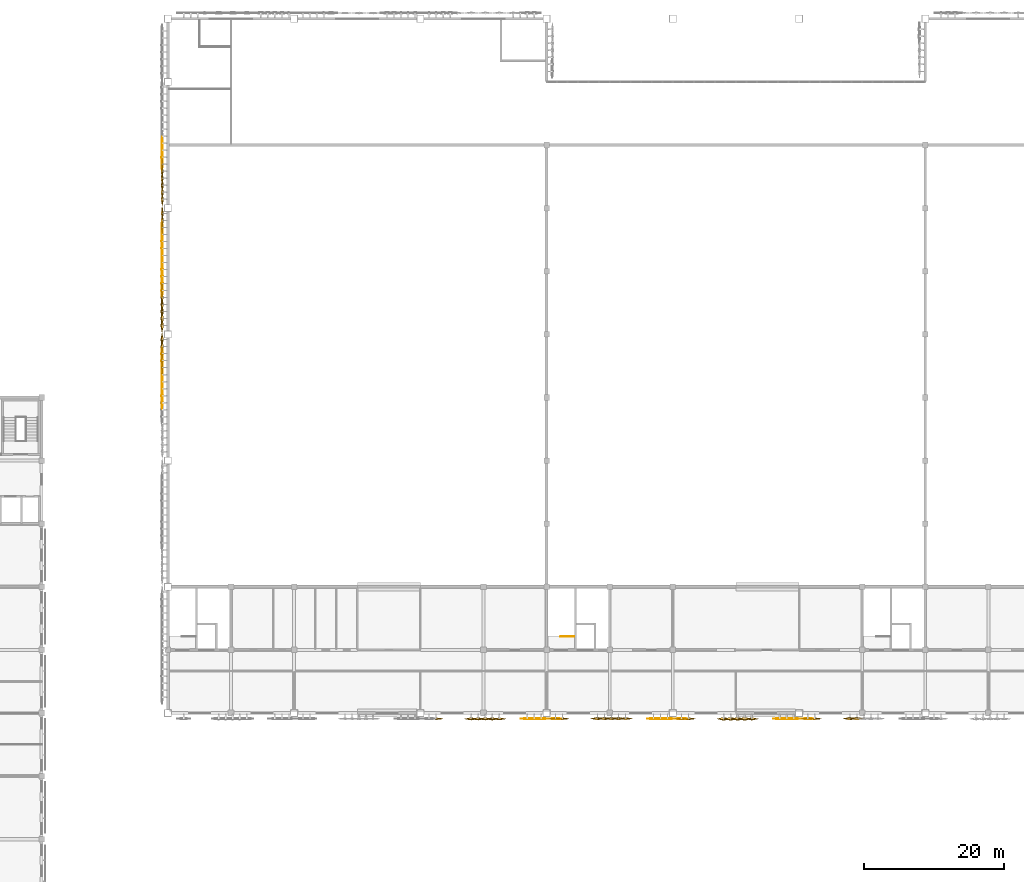
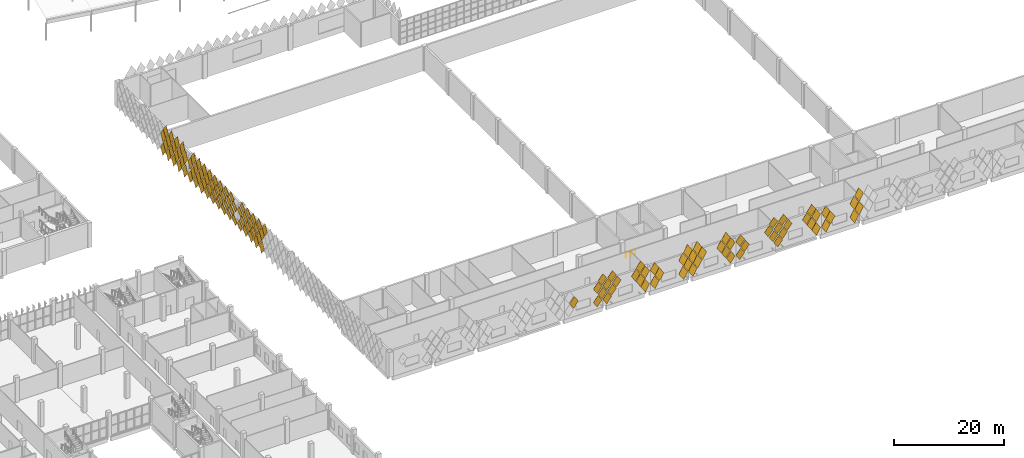
# One storey, part 172 of 185: 126 coverings, 1 railing.
"""IFC4 building model written with IfcOpenShell, lengths in metres."""

from ifc_helpers import new_model, si_unit, direction, frame, origin, origin_2d, place, context, subcontext, project, spatial, polyline, circle, outline, extrude, material, constituent, constituent_set, material_profile, profile_set, type_object, element, save


model = new_model("IFC4")

# Units and contexts
model_context = context("Model", 3, precision=1e-05, world=origin(), true_north=direction((0.0, 1.0)))
body_context = subcontext(model_context, "Body", "Model", "MODEL_VIEW")
ifc_project = project(units=[si_unit("LENGTHUNIT", "METRE"), si_unit("AREAUNIT", "SQUARE_METRE"), si_unit("VOLUMEUNIT", "CUBIC_METRE"), si_unit("PLANEANGLEUNIT", "RADIAN"), si_unit("MASSUNIT", "GRAM", prefix="KILO")], contexts=[model_context])

# Site, building, storey
site_placement = place(None, origin())
site = spatial("IfcSite", under=ifc_project, at=site_placement, CompositionType="ELEMENT")
building_placement = place(site_placement, origin())
building = spatial("IfcBuilding", under=site, at=building_placement, Name="Opaline Strait Convention Centre", CompositionType="ELEMENT")
storey_placement = place(building_placement, frame((0.0, 0.0, 6.0)))
storey = spatial("IfcBuildingStorey", under=building, at=storey_placement, Name="L01", CompositionType="ELEMENT", Elevation=6.0)

# Coverings
ifc_material_1 = material(Name="White ceramic-faced aluminium tile", Category="aluminium")
ifc_material_profile_1 = material_profile(ifc_material_1, outline(polyline([(0.927978515625, 0.0), (0.0, 1.39208984375), (-0.927978515625, 0.0), (0.0, -1.39208984375), (0.927978515625, 0.0)])), Name="Diamond tile 1856x2784")
ifc_profile_set_1 = profile_set([ifc_material_profile_1], Name="White ceramic-faced aluminium tile")
covering_type_1 = type_object("IfcCoveringType", Name="Diamond wall tile 1856x2784x30 pivot 2 deg", PredefinedType="CLADDING", material=ifc_profile_set_1)
for number, where, z_axis, x_axis, name in (
    (1, (98.199951171875, 135.25, 4.39208984375), (-0.999471633277, 0.0, 0.032503142546), (0.0, -1.0, 0.0), "Wall tile XT04 W"),
    (2, (98.199951171875, 134.25, 5.89208984375), (-0.999471633277, 0.0, 0.032503142546), (0.0, -1.0, 0.0), "Wall tile XT04 W"),
):
    element("IfcCovering", number, at=place(storey_placement, frame(where, z_axis=z_axis, x_axis=x_axis)), inside=storey, type_object=covering_type_1, Name=name, PredefinedType="CLADDING", context=body_context, shape_type="SweptSolid", body=[
        extrude(outline(polyline([(0.927978515625, 0.0), (0.0, 1.39208984375), (-0.927978515625, 0.0), (0.0, -1.39208984375), (0.927978515625, 0.0)])), origin(), (0.0, 0.0, 1.0), 0.030029296875),
    ])
ifc_material_profile_2 = material_profile(ifc_material_1, outline(polyline([(0.927978515625, 0.0), (0.0, 1.39208984375), (-0.927978515625, 0.0), (0.0, -1.39208984375), (0.927978515625, 0.0)])), Name="Diamond tile 1856x2784")
ifc_profile_set_2 = profile_set([ifc_material_profile_2], Name="White ceramic-faced aluminium tile")
covering_type_2 = type_object("IfcCoveringType", Name="Diamond wall tile 1856x2784x30 pivot 2.5 deg", PredefinedType="CLADDING", material=ifc_profile_set_2)
for number, where, z_axis, x_axis, name in (
    (3, (151.25, 53.199951171875, 3.39208984375), (0.0, -0.999174794796, 0.040616861577), (1.0, 0.0, 0.0), "Wall tile XT05 S"),
    (4, (150.25, 53.199951171875, 4.89208984375), (0.0, -0.998812351125, -0.048722553713), (1.0, 0.0, 0.0), "Wall tile XT05 S"),
    (5, (152.25, 53.199951171875, 4.89208984375), (0.0, -0.999174794796, 0.040616861577), (1.0, 0.0, 0.0), "Wall tile XT05 S"),
    (6, (151.25, 53.199951171875, 6.39208984375), (0.0, -0.998812351125, -0.048722553713), (1.0, 0.0, 0.0), "Wall tile XT05 S"),
    (7, (98.199951171875, 121.25, 1.39208984375), (-0.999174794796, 0.0, 0.040616861577), (0.0, -1.0, 0.0), "Wall tile XT05 W"),
    (8, (98.199951171875, 120.25, 2.89208984375), (-0.999174794796, 0.0, 0.040616861577), (0.0, -1.0, 0.0), "Wall tile XT05 W"),
):
    element("IfcCovering", number, at=place(storey_placement, frame(where, z_axis=z_axis, x_axis=x_axis)), inside=storey, type_object=covering_type_2, Name=name, PredefinedType="CLADDING", context=body_context, shape_type="SweptSolid", body=[
        extrude(outline(polyline([(0.927978515625, 0.0), (0.0, 1.39208984375), (-0.927978515625, 0.0), (0.0, -1.39208984375), (0.927978515625, 0.0)])), origin(), (0.0, 0.0, 1.0), 0.030029296875),
    ])
ifc_material_profile_3 = material_profile(ifc_material_1, outline(polyline([(0.927978515625, 0.0), (0.0, 1.39208984375), (-0.927978515625, 0.0), (0.0, -1.39208984375), (0.927978515625, 0.0)])), Name="Diamond tile 1856x2784")
ifc_profile_set_3 = profile_set([ifc_material_profile_3], Name="White ceramic-faced aluminium tile")
covering_type_3 = type_object("IfcCoveringType", Name="Diamond wall tile 1856x2784x30 pivot 3 deg", PredefinedType="CLADDING", material=ifc_profile_set_3)
for number, where, z_axis, x_axis, name in (
    (9, (152.25, 53.199951171875, 1.89208984375), (0.0, -0.998812351125, 0.048722553713), (1.0, 0.0, 0.0), "Wall tile XT06 S"),
    (10, (169.25, 53.199951171875, 3.39208984375), (0.0, -0.998384516691, -0.056818631031), (1.0, 0.0, 0.0), "Wall tile XT06 S"),
    (11, (187.25, 53.199951171875, 3.39208984375), (0.0, -0.998812351125, 0.048722553713), (1.0, 0.0, 0.0), "Wall tile XT06 S"),
    (12, (154.25, 53.199951171875, 4.89208984375), (0.0, -0.998812351125, 0.048722553713), (1.0, 0.0, 0.0), "Wall tile XT06 S"),
    (13, (168.25, 53.199951171875, 4.89208984375), (0.0, -0.998812351125, 0.048722553713), (1.0, 0.0, 0.0), "Wall tile XT06 S"),
    (14, (170.25, 53.199951171875, 4.89208984375), (0.0, -0.998384516691, -0.056818631031), (1.0, 0.0, 0.0), "Wall tile XT06 S"),
    (15, (172.25, 53.199951171875, 4.89208984375), (0.0, -0.998384516691, -0.056818631031), (1.0, 0.0, 0.0), "Wall tile XT06 S"),
    (16, (186.25, 53.199951171875, 4.89208984375), (0.0, -0.998384516691, -0.056818631031), (1.0, 0.0, 0.0), "Wall tile XT06 S"),
    (17, (188.25, 53.199951171875, 4.89208984375), (0.0, -0.998812351125, 0.048722553713), (1.0, 0.0, 0.0), "Wall tile XT06 S"),
    (18, (190.25, 53.199951171875, 4.89208984375), (0.0, -0.998812351125, 0.048722553713), (1.0, 0.0, 0.0), "Wall tile XT06 S"),
    (19, (169.25, 53.199951171875, 6.39208984375), (0.0, -0.998812351125, 0.048722553713), (1.0, 0.0, 0.0), "Wall tile XT06 S"),
    (20, (187.25, 53.199951171875, 6.39208984375), (0.0, -0.998384516691, -0.056818631031), (1.0, 0.0, 0.0), "Wall tile XT06 S"),
    (21, (98.199951171875, 135.25, 1.39208984375), (-0.998812351125, 0.0, 0.048722553713), (0.0, -1.0, 0.0), "Wall tile XT06 W"),
    (22, (98.199951171875, 119.25, 1.39208984375), (-0.998384516691, 0.0, -0.056818631031), (0.0, -1.0, 0.0), "Wall tile XT06 W"),
    (23, (98.199951171875, 103.25, 1.39208984375), (-0.998384516691, 0.0, -0.056818631031), (0.0, -1.0, 0.0), "Wall tile XT06 W"),
    (24, (98.199951171875, 101.25, 1.39208984375), (-0.998812351125, 0.0, 0.048722553713), (0.0, -1.0, 0.0), "Wall tile XT06 W"),
    (25, (98.199951171875, 134.25, 2.89208984375), (-0.998812351125, 0.0, 0.048722553713), (0.0, -1.0, 0.0), "Wall tile XT06 W"),
    (26, (98.199951171875, 118.25, 2.89208984375), (-0.998384516691, 0.0, -0.056818631031), (0.0, -1.0, 0.0), "Wall tile XT06 W"),
    (27, (98.199951171875, 102.25, 2.89208984375), (-0.998384516691, 0.0, -0.056818631031), (0.0, -1.0, 0.0), "Wall tile XT06 W"),
    (28, (98.199951171875, 100.25, 2.89208984375), (-0.998812351125, 0.0, 0.048722553713), (0.0, -1.0, 0.0), "Wall tile XT06 W"),
    (29, (98.199951171875, 133.25, 4.39208984375), (-0.998812351125, 0.0, 0.048722553713), (0.0, -1.0, 0.0), "Wall tile XT06 W"),
    (30, (98.199951171875, 119.25, 4.39208984375), (-0.998812351125, 0.0, 0.048722553713), (0.0, -1.0, 0.0), "Wall tile XT06 W"),
    (31, (98.199951171875, 117.25, 4.39208984375), (-0.998384516691, 0.0, -0.056818631031), (0.0, -1.0, 0.0), "Wall tile XT06 W"),
    (32, (98.199951171875, 101.25, 4.39208984375), (-0.998384516691, 0.0, -0.056818631031), (0.0, -1.0, 0.0), "Wall tile XT06 W"),
    (33, (98.199951171875, 99.25, 4.39208984375), (-0.998812351125, 0.0, 0.048722553713), (0.0, -1.0, 0.0), "Wall tile XT06 W"),
    (34, (98.199951171875, 132.25, 5.89208984375), (-0.998812351125, 0.0, 0.048722553713), (0.0, -1.0, 0.0), "Wall tile XT06 W"),
    (35, (98.199951171875, 118.25, 5.89208984375), (-0.998812351125, 0.0, 0.048722553713), (0.0, -1.0, 0.0), "Wall tile XT06 W"),
    (36, (98.199951171875, 116.25, 5.89208984375), (-0.998384516691, 0.0, -0.056818631031), (0.0, -1.0, 0.0), "Wall tile XT06 W"),
    (37, (98.199951171875, 100.25, 5.89208984375), (-0.998384516691, 0.0, -0.056818631031), (0.0, -1.0, 0.0), "Wall tile XT06 W"),
    (38, (98.199951171875, 98.25, 5.89208984375), (-0.998812351125, 0.0, 0.048722553713), (0.0, -1.0, 0.0), "Wall tile XT06 W"),
):
    element("IfcCovering", number, at=place(storey_placement, frame(where, z_axis=z_axis, x_axis=x_axis)), inside=storey, type_object=covering_type_3, Name=name, PredefinedType="CLADDING", context=body_context, shape_type="SweptSolid", body=[
        extrude(outline(polyline([(0.927978515625, 0.0), (0.0, 1.39208984375), (-0.927978515625, 0.0), (0.0, -1.39208984375), (0.927978515625, 0.0)])), origin(), (0.0, 0.0, 1.0), 0.030029296875),
    ])
ifc_material_profile_4 = material_profile(ifc_material_1, outline(polyline([(0.927978515625, 0.0), (0.0, 1.39208984375), (-0.927978515625, 0.0), (0.0, -1.39208984375), (0.927978515625, 0.0)])), Name="Diamond tile 1856x2784")
ifc_profile_set_4 = profile_set([ifc_material_profile_4], Name="White ceramic-faced aluminium tile")
covering_type_4 = type_object("IfcCoveringType", Name="Diamond wall tile 1856x2784x30 pivot 3.5 deg", PredefinedType="CLADDING", material=ifc_profile_set_4)
for number, where, z_axis, x_axis, name in (
    (39, (170.25, 53.199951171875, 1.89208984375), (0.0, -0.99785694905, -0.065433242561), (1.0, 0.0, 0.0), "Wall tile XT07 S"),
    (40, (188.25, 53.199951171875, 1.89208984375), (0.0, -0.99835799028, 0.057282835508), (1.0, 0.0, 0.0), "Wall tile XT07 S"),
    (41, (98.199951171875, 123.25, 1.39208984375), (-0.99835799028, 0.0, 0.057282835508), (0.0, -1.0, 0.0), "Wall tile XT07 W"),
    (42, (98.199951171875, 122.25, 2.89208984375), (-0.99835799028, 0.0, 0.057282835508), (0.0, -1.0, 0.0), "Wall tile XT07 W"),
):
    element("IfcCovering", number, at=place(storey_placement, frame(where, z_axis=z_axis, x_axis=x_axis)), inside=storey, type_object=covering_type_4, Name=name, PredefinedType="CLADDING", context=body_context, shape_type="SweptSolid", body=[
        extrude(outline(polyline([(0.927978515625, 0.0), (0.0, 1.39208984375), (-0.927978515625, 0.0), (0.0, -1.39208984375), (0.927978515625, 0.0)])), origin(), (0.0, 0.0, 1.0), 0.02978515625),
    ])
ifc_material_profile_5 = material_profile(ifc_material_1, outline(polyline([(0.927978515625, 0.0), (0.0, 1.39208984375), (-0.927978515625, 0.0), (0.0, -1.39208984375), (0.927978515625, 0.0)])), Name="Diamond tile 1856x2784")
ifc_profile_set_5 = profile_set([ifc_material_profile_5], Name="White ceramic-faced aluminium tile")
covering_type_5 = type_object("IfcCoveringType", Name="Diamond wall tile 1856x2784x30 pivot 4 deg", PredefinedType="CLADDING", material=ifc_profile_set_5)
for number, where, z_axis, x_axis, name in (
    (43, (98.199951171875, 117.25, 1.39208984375), (-0.997290013252, 0.0, -0.073570574748), (0.0, -1.0, 0.0), "Wall tile XT08 W"),
    (44, (98.199951171875, 105.25, 1.39208984375), (-0.997290013252, 0.0, -0.073570574748), (0.0, -1.0, 0.0), "Wall tile XT08 W"),
    (45, (98.199951171875, 116.25, 2.89208984375), (-0.997290013252, 0.0, -0.073570574748), (0.0, -1.0, 0.0), "Wall tile XT08 W"),
    (46, (98.199951171875, 104.25, 2.89208984375), (-0.997290013252, 0.0, -0.073570574748), (0.0, -1.0, 0.0), "Wall tile XT08 W"),
    (47, (98.199951171875, 121.25, 4.39208984375), (-0.99785694905, 0.0, 0.065433242561), (0.0, -1.0, 0.0), "Wall tile XT08 W"),
    (48, (98.199951171875, 115.25, 4.39208984375), (-0.997290013252, 0.0, -0.073570574748), (0.0, -1.0, 0.0), "Wall tile XT08 W"),
    (49, (98.199951171875, 120.25, 5.89208984375), (-0.99785694905, 0.0, 0.065433242561), (0.0, -1.0, 0.0), "Wall tile XT08 W"),
    (50, (98.199951171875, 114.25, 5.89208984375), (-0.997290013252, 0.0, -0.073570574748), (0.0, -1.0, 0.0), "Wall tile XT08 W"),
):
    element("IfcCovering", number, at=place(storey_placement, frame(where, z_axis=z_axis, x_axis=x_axis)), inside=storey, type_object=covering_type_5, Name=name, PredefinedType="CLADDING", context=body_context, shape_type="SweptSolid", body=[
        extrude(outline(polyline([(0.927978515625, 0.0), (0.0, 1.39208984375), (-0.927978515625, 0.0), (0.0, -1.39208984375), (0.927978515625, 0.0)])), origin(), (0.0, 0.0, 1.0), 0.02978515625),
    ])
ifc_material_profile_6 = material_profile(ifc_material_1, outline(polyline([(0.927978515625, 0.0), (0.0, 1.39208984375), (-0.927978515625, 0.0), (0.0, -1.39208984375), (0.927978515625, 0.0)])), Name="Diamond tile 1856x2784")
ifc_profile_set_6 = profile_set([ifc_material_profile_6], Name="White ceramic-faced aluminium tile")
covering_type_6 = type_object("IfcCoveringType", Name="Diamond wall tile 1856x2784x30 pivot 4.5 deg", PredefinedType="CLADDING", material=ifc_profile_set_6)
for number, where, z_axis, x_axis, name in (
    (51, (137.25, 53.199951171875, 3.39208984375), (0.0, -0.996657521232, -0.081693239445), (1.0, 0.0, 0.0), "Wall tile XT09 S"),
    (52, (98.199951171875, 133.25, 1.39208984375), (-0.997290013252, 0.0, 0.073570574748), (0.0, -1.0, 0.0), "Wall tile XT09 W"),
    (53, (98.199951171875, 99.25, 1.39208984375), (-0.997290013252, 0.0, 0.073570574748), (0.0, -1.0, 0.0), "Wall tile XT09 W"),
    (54, (98.199951171875, 103.25, 4.39208984375), (-0.996657521232, 0.0, -0.081693239445), (0.0, -1.0, 0.0), "Wall tile XT09 W"),
    (55, (98.199951171875, 102.25, 5.89208984375), (-0.996657521232, 0.0, -0.081693239445), (0.0, -1.0, 0.0), "Wall tile XT09 W"),
):
    element("IfcCovering", number, at=place(storey_placement, frame(where, z_axis=z_axis, x_axis=x_axis)), inside=storey, type_object=covering_type_6, Name=name, PredefinedType="CLADDING", context=body_context, shape_type="SweptSolid", body=[
        extrude(outline(polyline([(0.927978515625, 0.0), (0.0, 1.39208984375), (-0.927978515625, 0.0), (0.0, -1.39208984375), (0.927978515625, 0.0)])), origin(), (0.0, 0.0, 1.0), 0.02978515625),
    ])
ifc_material_profile_7 = material_profile(ifc_material_1, outline(polyline([(0.927978515625, 0.0), (0.0, 1.39208984375), (-0.927978515625, 0.0), (0.0, -1.39208984375), (0.927978515625, 0.0)])), Name="Diamond tile 1856x2784")
ifc_profile_set_7 = profile_set([ifc_material_profile_7], Name="White ceramic-faced aluminium tile")
covering_type_7 = type_object("IfcCoveringType", Name="Diamond wall tile 1856x2784x30 pivot 5 deg", PredefinedType="CLADDING", material=ifc_profile_set_7)
for number, where, z_axis, x_axis, name in (
    (56, (98.199951171875, 125.25, 1.39208984375), (-0.996657521232, 0.0, 0.081693239445), (0.0, -1.0, 0.0), "Wall tile XT10 W"),
    (57, (98.199951171875, 132.25, 2.89208984375), (-0.996657521232, 0.0, 0.081693239445), (0.0, -1.0, 0.0), "Wall tile XT10 W"),
    (58, (98.199951171875, 131.25, 4.39208984375), (-0.996657521232, 0.0, 0.081693239445), (0.0, -1.0, 0.0), "Wall tile XT10 W"),
    (59, (98.199951171875, 130.25, 5.89208984375), (-0.996657521232, 0.0, 0.081693239445), (0.0, -1.0, 0.0), "Wall tile XT10 W"),
):
    element("IfcCovering", number, at=place(storey_placement, frame(where, z_axis=z_axis, x_axis=x_axis)), inside=storey, type_object=covering_type_7, Name=name, PredefinedType="CLADDING", context=body_context, shape_type="SweptSolid", body=[
        extrude(outline(polyline([(0.927978515625, 0.0), (0.0, 1.39208984375), (-0.927978515625, 0.0), (0.0, -1.39208984375), (0.927978515625, 0.0)])), origin(), (0.0, 0.0, 1.0), 0.02978515625),
    ])
ifc_material_profile_8 = material_profile(ifc_material_1, outline(polyline([(0.927978515625, 0.0), (0.0, 1.39208984375), (-0.927978515625, 0.0), (0.0, -1.39208984375), (0.927978515625, 0.0)])), Name="Diamond tile 1856x2784")
ifc_profile_set_8 = profile_set([ifc_material_profile_8], Name="White ceramic-faced aluminium tile")
covering_type_8 = type_object("IfcCoveringType", Name="Diamond wall tile 1856x2784x30 pivot 5.5 deg", PredefinedType="CLADDING", material=ifc_profile_set_8)
for number, where, z_axis, x_axis, name in (
    (60, (154.25, 53.199951171875, 1.89208984375), (0.0, -0.995959849254, 0.089799658539), (1.0, 0.0, 0.0), "Wall tile XT11 S"),
    (61, (155.25, 53.199951171875, 3.39208984375), (0.0, -0.995959849254, 0.089799658539), (1.0, 0.0, 0.0), "Wall tile XT11 S"),
):
    element("IfcCovering", number, at=place(storey_placement, frame(where, z_axis=z_axis, x_axis=x_axis)), inside=storey, type_object=covering_type_8, Name=name, PredefinedType="CLADDING", context=body_context, shape_type="SweptSolid", body=[
        extrude(outline(polyline([(0.927978515625, 0.0), (0.0, 1.39208984375), (-0.927978515625, 0.0), (0.0, -1.39208984375), (0.927978515625, 0.0)])), origin(), (0.0, 0.0, 1.0), 0.02978515625),
    ])
covering_placement = place(storey_placement, frame((173.25, 53.199951171875, 3.39208984375), z_axis=(0.0, -0.995197410875, -0.097888269922), x_axis=(1.0, 0.0, 0.0)))
element("IfcCovering", 62, at=covering_placement, inside=storey, type_object=covering_type_8, Name="Wall tile XT11 S", PredefinedType="CLADDING", context=body_context, shape_type="SweptSolid", body=[
    extrude(outline(polyline([(0.927978515625, 0.0), (0.0, 1.39208984375), (-0.927978515625, 0.0), (0.0, -1.39208984375), (0.927978515625, 0.0)])), origin(), (0.0, 0.0, 1.0), 0.030029296875),
])
for number, where, z_axis, x_axis, name in (
    (63, (191.25, 53.199951171875, 3.39208984375), (0.0, -0.995959849254, 0.089799658539), (1.0, 0.0, 0.0), "Wall tile XT11 S"),
    (64, (98.199951171875, 124.25, 2.89208984375), (-0.995959849254, 0.0, 0.089799658539), (0.0, -1.0, 0.0), "Wall tile XT11 W"),
):
    element("IfcCovering", number, at=place(storey_placement, frame(where, z_axis=z_axis, x_axis=x_axis)), inside=storey, type_object=covering_type_8, Name=name, PredefinedType="CLADDING", context=body_context, shape_type="SweptSolid", body=[
        extrude(outline(polyline([(0.927978515625, 0.0), (0.0, 1.39208984375), (-0.927978515625, 0.0), (0.0, -1.39208984375), (0.927978515625, 0.0)])), origin(), (0.0, 0.0, 1.0), 0.02978515625),
    ])
ifc_material_profile_9 = material_profile(ifc_material_1, outline(polyline([(0.927978515625, 0.0), (0.0, 1.39208984375), (-0.927978515625, 0.0), (0.0, -1.39208984375), (0.927978515625, 0.0)])), Name="Diamond tile 1856x2784")
ifc_profile_set_9 = profile_set([ifc_material_profile_9], Name="White ceramic-faced aluminium tile")
covering_type_9 = type_object("IfcCoveringType", Name="Diamond wall tile 1856x2784x30 pivot 6 deg", PredefinedType="CLADDING", material=ifc_profile_set_9)
for number, where, z_axis, x_axis, name in (
    (65, (144.25, 53.199951171875, 1.89208984375), (0.0, -0.994370656274, -0.105957528947), (1.0, 0.0, 0.0), "Wall tile XT12 S"),
    (66, (172.25, 53.199951171875, 1.89208984375), (0.0, -0.994370656274, -0.105957528947), (1.0, 0.0, 0.0), "Wall tile XT12 S"),
    (67, (190.25, 53.199951171875, 1.89208984375), (0.0, -0.995197410875, 0.097888269922), (1.0, 0.0, 0.0), "Wall tile XT12 S"),
    (68, (98.199951171875, 131.25, 1.39208984375), (-0.995197410875, 0.0, 0.097888269922), (0.0, -1.0, 0.0), "Wall tile XT12 W"),
    (69, (98.199951171875, 130.25, 2.89208984375), (-0.995197410875, 0.0, 0.097888269922), (0.0, -1.0, 0.0), "Wall tile XT12 W"),
    (70, (98.199951171875, 114.25, 2.89208984375), (-0.994370656274, 0.0, -0.105957528947), (0.0, -1.0, 0.0), "Wall tile XT12 W"),
    (71, (98.199951171875, 123.25, 4.39208984375), (-0.995197410875, 0.0, 0.097888269922), (0.0, -1.0, 0.0), "Wall tile XT12 W"),
    (72, (98.199951171875, 113.25, 4.39208984375), (-0.994370656274, 0.0, -0.105957528947), (0.0, -1.0, 0.0), "Wall tile XT12 W"),
    (73, (98.199951171875, 122.25, 5.89208984375), (-0.995197410875, 0.0, 0.097888269922), (0.0, -1.0, 0.0), "Wall tile XT12 W"),
):
    element("IfcCovering", number, at=place(storey_placement, frame(where, z_axis=z_axis, x_axis=x_axis)), inside=storey, type_object=covering_type_9, Name=name, PredefinedType="CLADDING", context=body_context, shape_type="SweptSolid", body=[
        extrude(outline(polyline([(0.927978515625, 0.0), (0.0, 1.39208984375), (-0.927978515625, 0.0), (0.0, -1.39208984375), (0.927978515625, 0.0)])), origin(), (0.0, 0.0, 1.0), 0.030029296875),
    ])
ifc_material_profile_10 = material_profile(ifc_material_1, outline(polyline([(0.927978515625, 0.0), (0.0, 1.39208984375), (-0.927978515625, 0.0), (0.0, -1.39208984375), (0.927978515625, 0.0)])), Name="Diamond tile 1856x2784")
ifc_profile_set_10 = profile_set([ifc_material_profile_10], Name="White ceramic-faced aluminium tile")
covering_type_10 = type_object("IfcCoveringType", Name="Diamond wall tile 1856x2784x30 pivot 6.5 deg", PredefinedType="CLADDING", material=ifc_profile_set_10)
for number, where, z_axis, x_axis, name in (
    (74, (162.25, 53.199951171875, 1.89208984375), (0.0, -0.993480071526, 0.114005909847), (1.0, 0.0, 0.0), "Wall tile XT13 S"),
    (75, (145.25, 53.199951171875, 3.39208984375), (0.0, -0.993480071526, -0.114005909847), (1.0, 0.0, 0.0), "Wall tile XT13 S"),
    (76, (146.25, 53.199951171875, 4.89208984375), (0.0, -0.993480071526, -0.114005909847), (1.0, 0.0, 0.0), "Wall tile XT13 S"),
    (77, (98.199951171875, 127.25, 1.39208984375), (-0.993480071526, 0.0, 0.114005909847), (0.0, -1.0, 0.0), "Wall tile XT13 W"),
    (78, (98.199951171875, 115.25, 1.39208984375), (-0.993480071526, 0.0, -0.114005909847), (0.0, -1.0, 0.0), "Wall tile XT13 W"),
    (79, (98.199951171875, 107.25, 1.39208984375), (-0.993480071526, 0.0, -0.114005909847), (0.0, -1.0, 0.0), "Wall tile XT13 W"),
    (80, (98.199951171875, 106.25, 2.89208984375), (-0.993480071526, 0.0, -0.114005909847), (0.0, -1.0, 0.0), "Wall tile XT13 W"),
    (81, (98.199951171875, 129.25, 4.39208984375), (-0.993480071526, 0.0, 0.114005909847), (0.0, -1.0, 0.0), "Wall tile XT13 W"),
    (82, (98.199951171875, 125.25, 4.39208984375), (-0.993480071526, 0.0, 0.114005909847), (0.0, -1.0, 0.0), "Wall tile XT13 W"),
    (83, (98.199951171875, 105.25, 4.39208984375), (-0.993480071526, 0.0, -0.114005909847), (0.0, -1.0, 0.0), "Wall tile XT13 W"),
    (84, (98.199951171875, 128.25, 5.89208984375), (-0.993480071526, 0.0, 0.114005909847), (0.0, -1.0, 0.0), "Wall tile XT13 W"),
    (85, (98.199951171875, 112.25, 5.89208984375), (-0.993480071526, 0.0, -0.114005909847), (0.0, -1.0, 0.0), "Wall tile XT13 W"),
    (86, (98.199951171875, 104.25, 5.89208984375), (-0.993480071526, 0.0, -0.114005909847), (0.0, -1.0, 0.0), "Wall tile XT13 W"),
):
    element("IfcCovering", number, at=place(storey_placement, frame(where, z_axis=z_axis, x_axis=x_axis)), inside=storey, type_object=covering_type_10, Name=name, PredefinedType="CLADDING", context=body_context, shape_type="SweptSolid", body=[
        extrude(outline(polyline([(0.927978515625, 0.0), (0.0, 1.39208984375), (-0.927978515625, 0.0), (0.0, -1.39208984375), (0.927978515625, 0.0)])), origin(), (0.0, 0.0, 1.0), 0.030029296875),
    ])
ifc_material_profile_11 = material_profile(ifc_material_1, outline(polyline([(0.927978515625, 0.0), (0.0, 1.39208984375), (-0.927978515625, 0.0), (0.0, -1.39208984375), (0.927978515625, 0.0)])), Name="Diamond tile 1856x2784")
ifc_profile_set_11 = profile_set([ifc_material_profile_11], Name="White ceramic-faced aluminium tile")
covering_type_11 = type_object("IfcCoveringType", Name="Diamond wall tile 1856x2784x30 pivot 7 deg", PredefinedType="CLADDING", material=ifc_profile_set_11)
for number, where, z_axis, x_axis, name in (
    (87, (142.25, 53.199951171875, 1.89208984375), (0.0, -0.992526177815, -0.122031907108), (1.0, 0.0, 0.0), "Wall tile XT14 S"),
    (88, (180.25, 53.199951171875, 1.89208984375), (0.0, -0.992526177815, -0.122031907108), (1.0, 0.0, 0.0), "Wall tile XT14 S"),
    (89, (143.25, 53.199951171875, 3.39208984375), (0.0, -0.992526177815, -0.122031907108), (1.0, 0.0, 0.0), "Wall tile XT14 S"),
    (90, (163.25, 53.199951171875, 3.39208984375), (0.0, -0.992526177815, 0.122031907108), (1.0, 0.0, 0.0), "Wall tile XT14 S"),
    (91, (181.25, 53.199951171875, 3.39208984375), (0.0, -0.992526177815, -0.122031907108), (1.0, 0.0, 0.0), "Wall tile XT14 S"),
    (92, (142.25, 53.199951171875, 4.89208984375), (0.0, -0.992526177815, -0.122031907108), (1.0, 0.0, 0.0), "Wall tile XT14 S"),
    (93, (144.25, 53.199951171875, 4.89208984375), (0.0, -0.992526177815, -0.122031907108), (1.0, 0.0, 0.0), "Wall tile XT14 S"),
    (94, (164.25, 53.199951171875, 4.89208984375), (0.0, -0.992526177815, 0.122031907108), (1.0, 0.0, 0.0), "Wall tile XT14 S"),
    (95, (143.25, 53.199951171875, 6.39208984375), (0.0, -0.992526177815, -0.122031907108), (1.0, 0.0, 0.0), "Wall tile XT14 S"),
    (96, (98.199951171875, 129.25, 1.39208984375), (-0.992526177815, 0.0, 0.122031907108), (0.0, -1.0, 0.0), "Wall tile XT14 W"),
    (97, (98.199951171875, 128.25, 2.89208984375), (-0.992526177815, 0.0, 0.122031907108), (0.0, -1.0, 0.0), "Wall tile XT14 W"),
    (98, (98.199951171875, 127.25, 4.39208984375), (-0.992526177815, 0.0, 0.122031907108), (0.0, -1.0, 0.0), "Wall tile XT14 W"),
    (99, (98.199951171875, 124.25, 5.89208984375), (-0.992526177815, 0.0, 0.122031907108), (0.0, -1.0, 0.0), "Wall tile XT14 W"),
):
    element("IfcCovering", number, at=place(storey_placement, frame(where, z_axis=z_axis, x_axis=x_axis)), inside=storey, type_object=covering_type_11, Name=name, PredefinedType="CLADDING", context=body_context, shape_type="SweptSolid", body=[
        extrude(outline(polyline([(0.927978515625, 0.0), (0.0, 1.39208984375), (-0.927978515625, 0.0), (0.0, -1.39208984375), (0.927978515625, 0.0)])), origin(), (0.0, 0.0, 1.0), 0.030029296875),
    ])
ifc_material_profile_12 = material_profile(ifc_material_1, outline(polyline([(0.927978515625, 0.0), (0.0, 1.39208984375), (-0.927978515625, 0.0), (0.0, -1.39208984375), (0.927978515625, 0.0)])), Name="Diamond tile 1856x2784")
ifc_profile_set_12 = profile_set([ifc_material_profile_12], Name="White ceramic-faced aluminium tile")
covering_type_12 = type_object("IfcCoveringType", Name="Diamond wall tile 1856x2784x30 pivot 7.5 deg", PredefinedType="CLADDING", material=ifc_profile_set_12)
for number, where, z_axis, x_axis, name in (
    (100, (182.25, 53.199951171875, 4.89208984375), (0.0, -0.991509530601, -0.1300340368), (1.0, 0.0, 0.0), "Wall tile XT15 S"),
    (101, (145.25, 53.199951171875, 6.39208984375), (0.0, -0.991509530601, -0.1300340368), (1.0, 0.0, 0.0), "Wall tile XT15 S"),
    (102, (98.199951171875, 113.25, 1.39208984375), (-0.991509530601, 0.0, -0.1300340368), (0.0, -1.0, 0.0), "Wall tile XT15 W"),
):
    element("IfcCovering", number, at=place(storey_placement, frame(where, z_axis=z_axis, x_axis=x_axis)), inside=storey, type_object=covering_type_12, Name=name, PredefinedType="CLADDING", context=body_context, shape_type="SweptSolid", body=[
        extrude(outline(polyline([(0.927978515625, 0.0), (0.0, 1.39208984375), (-0.927978515625, 0.0), (0.0, -1.39208984375), (0.927978515625, 0.0)])), origin(), (0.0, 0.0, 1.0), 0.030029296875),
    ])
ifc_material_profile_13 = material_profile(ifc_material_1, outline(polyline([(0.927978515625, 0.0), (0.0, 1.39208984375), (-0.927978515625, 0.0), (0.0, -1.39208984375), (0.927978515625, 0.0)])), Name="Diamond tile 1856x2784")
ifc_profile_set_13 = profile_set([ifc_material_profile_13], Name="White ceramic-faced aluminium tile")
covering_type_13 = type_object("IfcCoveringType", Name="Diamond wall tile 1856x2784x30 pivot 8 deg", PredefinedType="CLADDING", material=ifc_profile_set_13)
for number, where, z_axis, x_axis, name in (
    (103, (160.25, 53.199951171875, 1.89208984375), (0.0, -0.990274204789, 0.139129433731), (1.0, 0.0, 0.0), "Wall tile XT16 S"),
    (104, (196.25, 53.199951171875, 1.89208984375), (0.0, -0.990274204789, 0.139129433731), (1.0, 0.0, 0.0), "Wall tile XT16 S"),
    (105, (161.25, 53.199951171875, 3.39208984375), (0.0, -0.990274204789, 0.139129433731), (1.0, 0.0, 0.0), "Wall tile XT16 S"),
    (106, (197.25, 53.199951171875, 3.39208984375), (0.0, -0.990274204789, 0.139129433731), (1.0, 0.0, 0.0), "Wall tile XT16 S"),
    (107, (160.25, 53.199951171875, 4.89208984375), (0.0, -0.990274204789, 0.139129433731), (1.0, 0.0, 0.0), "Wall tile XT16 S"),
    (108, (162.25, 53.199951171875, 4.89208984375), (0.0, -0.990274204789, 0.139129433731), (1.0, 0.0, 0.0), "Wall tile XT16 S"),
    (109, (196.25, 53.199951171875, 4.89208984375), (0.0, -0.990274204789, 0.139129433731), (1.0, 0.0, 0.0), "Wall tile XT16 S"),
    (110, (161.25, 53.199951171875, 6.39208984375), (0.0, -0.990274204789, 0.139129433731), (1.0, 0.0, 0.0), "Wall tile XT16 S"),
    (111, (163.25, 53.199951171875, 6.39208984375), (0.0, -0.990274204789, 0.139129433731), (1.0, 0.0, 0.0), "Wall tile XT16 S"),
    (112, (197.25, 53.199951171875, 6.39208984375), (0.0, -0.990274204789, 0.139129433731), (1.0, 0.0, 0.0), "Wall tile XT16 S"),
    (113, (98.199951171875, 109.25, 1.39208984375), (-0.990274204789, 0.0, -0.139129433731), (0.0, -1.0, 0.0), "Wall tile XT16 W"),
    (114, (98.199951171875, 112.25, 2.89208984375), (-0.990274204789, 0.0, -0.139129433731), (0.0, -1.0, 0.0), "Wall tile XT16 W"),
    (115, (98.199951171875, 111.25, 4.39208984375), (-0.990274204789, 0.0, -0.139129433731), (0.0, -1.0, 0.0), "Wall tile XT16 W"),
    (116, (98.199951171875, 107.25, 4.39208984375), (-0.990274204789, 0.0, -0.139129433731), (0.0, -1.0, 0.0), "Wall tile XT16 W"),
    (117, (98.199951171875, 110.25, 5.89208984375), (-0.990274204789, 0.0, -0.139129433731), (0.0, -1.0, 0.0), "Wall tile XT16 W"),
    (118, (98.199951171875, 106.25, 5.89208984375), (-0.990274204789, 0.0, -0.139129433731), (0.0, -1.0, 0.0), "Wall tile XT16 W"),
):
    element("IfcCovering", number, at=place(storey_placement, frame(where, z_axis=z_axis, x_axis=x_axis)), inside=storey, type_object=covering_type_13, Name=name, PredefinedType="CLADDING", context=body_context, shape_type="SweptSolid", body=[
        extrude(outline(polyline([(0.927978515625, 0.0), (0.0, 1.39208984375), (-0.927978515625, 0.0), (0.0, -1.39208984375), (0.927978515625, 0.0)])), origin(), (0.0, 0.0, 1.0), 0.02978515625),
    ])
ifc_material_profile_14 = material_profile(ifc_material_1, outline(polyline([(0.927978515625, 0.0), (0.0, 1.39208984375), (-0.927978515625, 0.0), (0.0, -1.39208984375), (0.927978515625, 0.0)])), Name="Diamond tile 1856x2784")
ifc_profile_set_14 = profile_set([ifc_material_profile_14], Name="White ceramic-faced aluminium tile")
covering_type_14 = type_object("IfcCoveringType", Name="Diamond wall tile 1856x2784x30 pivot 8.5 deg", PredefinedType="CLADDING", material=ifc_profile_set_14)
for number, where, z_axis, x_axis, name in (
    (119, (179.25, 53.199951171875, 3.39208984375), (0.0, -0.987895005451, -0.15512400912), (1.0, 0.0, 0.0), "Wall tile XT17 S"),
    (120, (178.25, 53.199951171875, 4.89208984375), (0.0, -0.987895005451, -0.15512400912), (1.0, 0.0, 0.0), "Wall tile XT17 S"),
    (121, (180.25, 53.199951171875, 4.89208984375), (0.0, -0.987895005451, -0.15512400912), (1.0, 0.0, 0.0), "Wall tile XT17 S"),
    (122, (179.25, 53.199951171875, 6.39208984375), (0.0, -0.987895005451, -0.15512400912), (1.0, 0.0, 0.0), "Wall tile XT17 S"),
    (123, (181.25, 53.199951171875, 6.39208984375), (0.0, -0.987895005451, -0.15512400912), (1.0, 0.0, 0.0), "Wall tile XT17 S"),
    (124, (98.199951171875, 111.25, 1.39208984375), (-0.987895005451, 0.0, -0.15512400912), (0.0, -1.0, 0.0), "Wall tile XT17 W"),
    (125, (98.199951171875, 110.25, 2.89208984375), (-0.987895005451, 0.0, -0.15512400912), (0.0, -1.0, 0.0), "Wall tile XT17 W"),
    (126, (98.199951171875, 109.25, 4.39208984375), (-0.987895005451, 0.0, -0.15512400912), (0.0, -1.0, 0.0), "Wall tile XT17 W"),
):
    element("IfcCovering", number, at=place(storey_placement, frame(where, z_axis=z_axis, x_axis=x_axis)), inside=storey, type_object=covering_type_14, Name=name, PredefinedType="CLADDING", context=body_context, shape_type="SweptSolid", body=[
        extrude(outline(polyline([(0.927978515625, 0.0), (0.0, 1.39208984375), (-0.927978515625, 0.0), (0.0, -1.39208984375), (0.927978515625, 0.0)])), origin(), (0.0, 0.0, 1.0), 0.02978515625),
    ])

# Railing
ifc_material_2 = material(Name="Steel Q235B", Category="steel")
ifc_constituent_1 = constituent(ifc_material_2, Name="Frame")
ifc_material_3 = material(Name="Safety glass, bonded interlayer", Category="glass")
ifc_constituent_2 = constituent(ifc_material_3, Name="Infill")
ifc_constituent_set = constituent_set(constituents=[ifc_constituent_1, ifc_constituent_2], Name="Steel Q235B, Safety glass, bonded interlayer")
railing_type = type_object("IfcRailingType", Name="Stair guard 1100 steel and glass", PredefinedType="GUARDRAIL", material=ifc_constituent_set)
railing_placement = place(storey_placement, frame((156.949951171875, 64.89990234375, 0.0)))
element("IfcRailing", 127, at=railing_placement, inside=storey, type_object=railing_type, Name="L01 XST2 top well guard 1", PredefinedType="GUARDRAIL", context=body_context, shape_type="SweptSolid", body=[
    extrude(circle(Radius=0.02392578125, at=origin_2d()), frame((0.0, 0.0, 1.076171875), z_axis=(-1.0, 0.0, 0.0), x_axis=(0.0, -1.0, 0.0)), (0.0, 0.0, 1.0), 1.949951171875),
    extrude(circle(Radius=0.02099609375, at=origin_2d()), origin(), (0.0, 0.0, 1.0), 1.052001953125),
    extrude(circle(Radius=0.02099609375, at=origin_2d()), frame((-0.97509765625, 0.0, 0.0)), (0.0, 0.0, 1.0), 1.052001953125),
    extrude(circle(Radius=0.02099609375, at=origin_2d()), frame((-1.949951171875, 0.0, 0.0)), (0.0, 0.0, 1.0), 1.052001953125),
])

save(model, "model.ifc")
